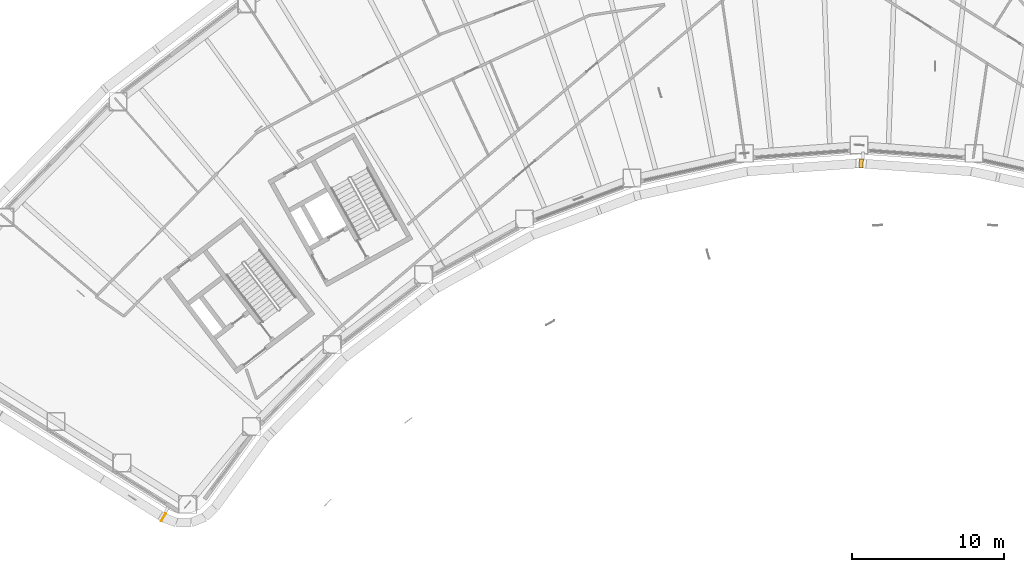
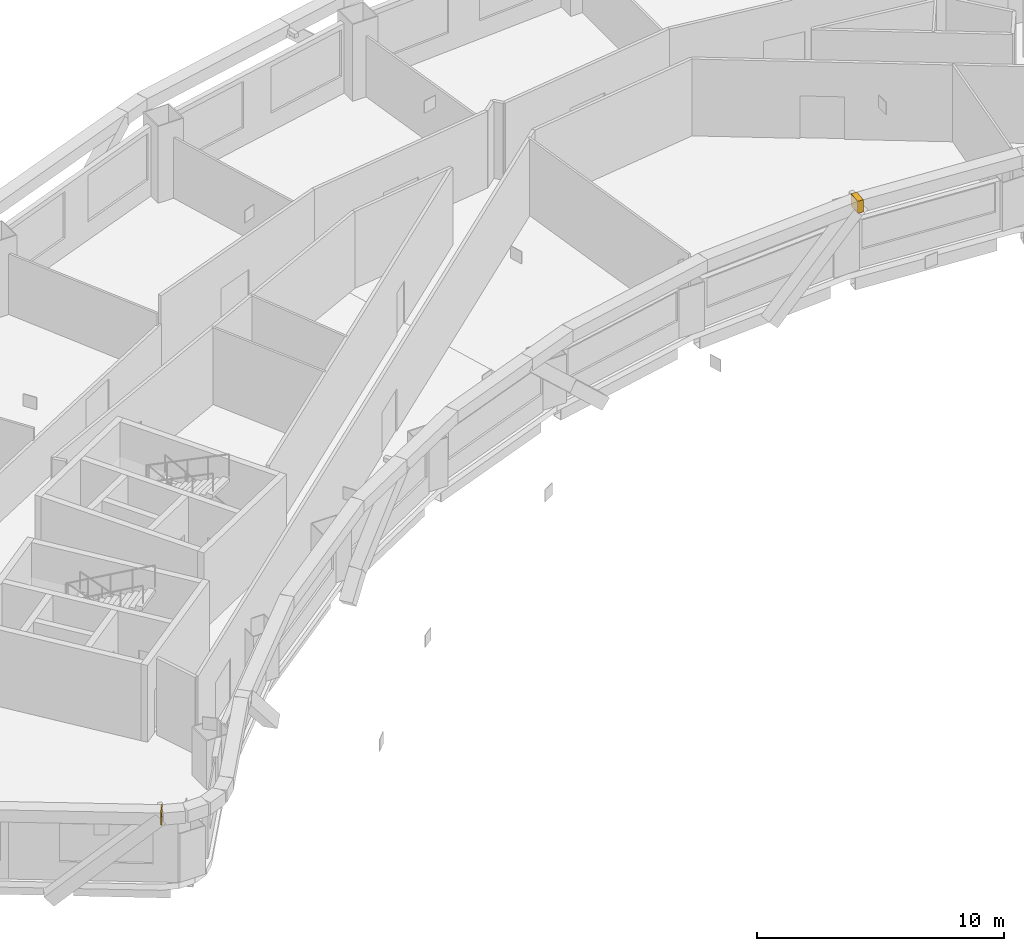
# One storey, part 19 of 19: 2 coverings.
"""IFC4 building model written with IfcOpenShell, lengths in metres."""

from ifc_helpers import new_model, si_unit, direction, frame, origin, origin_2d, place, context, subcontext, project, spatial, rectangle, extrude, material, material_profile, profile_set, type_object, element, save


model = new_model("IFC4")

# Units and contexts
model_context = context("Model", 3, precision=1e-05, world=origin(), true_north=direction((0.0, 1.0)))
body_context = subcontext(model_context, "Body", "Model", "MODEL_VIEW")
ifc_project = project(units=[si_unit("LENGTHUNIT", "METRE"), si_unit("AREAUNIT", "SQUARE_METRE"), si_unit("VOLUMEUNIT", "CUBIC_METRE"), si_unit("PLANEANGLEUNIT", "RADIAN"), si_unit("MASSUNIT", "GRAM", prefix="KILO")], contexts=[model_context])

# Site, building, storey
site_placement = place(None, origin())
site = spatial("IfcSite", under=ifc_project, at=site_placement, CompositionType="ELEMENT")
building_placement = place(site_placement, origin())
building = spatial("IfcBuilding", under=site, at=building_placement, Name="Tuul Gate Civic Tower", CompositionType="ELEMENT")
storey_placement = place(building_placement, frame((0.0, 0.0, 90.60009765625)))
storey = spatial("IfcBuildingStorey", under=building, at=storey_placement, Name="Level 20", CompositionType="ELEMENT", Elevation=90.60009765625)

# Coverings
ifc_material = material(Name="Terracotta baguette", Category="masonry")
ifc_material_profile = material_profile(ifc_material, rectangle(XDim=0.60009765625, YDim=0.60009765625, at=origin_2d()), Name="Terracotta baguette screen frame")
ifc_profile_set = profile_set([ifc_material_profile], Name="Terracotta baguette")
covering_type = type_object("IfcCoveringType", Name="Terracotta baguette screen frame", PredefinedType="CLADDING", material=ifc_profile_set)
covering_1_placement = place(storey_placement, frame((-41.12109375, -27.198974609375, 3.849853515625), z_axis=(0.848510478701, -0.529178578114, 0.0), x_axis=(0.529178578114, 0.848510478701, 0.0)))
element("IfcCovering", 1, at=covering_1_placement, inside=storey, type_object=covering_type, Name="Baguette 171", PredefinedType="CLADDING", context=body_context, shape_type="SweptSolid", body=[
    extrude(rectangle(XDim=0.60009765625, YDim=0.60009765625, at=origin_2d()), origin(), (0.0, 0.0, 1.0), 0.053466796875),
])
covering_2_placement = place(storey_placement, frame((4.80810546875, -3.85205078125, 3.849853515625), z_axis=(0.997430282696, -0.071643779634, 0.0), x_axis=(0.071643779634, 0.997430282696, 0.0)))
element("IfcCovering", 2, at=covering_2_placement, inside=storey, type_object=covering_type, Name="Baguette 429", PredefinedType="CLADDING", context=body_context, shape_type="SweptSolid", body=[
    extrude(rectangle(XDim=0.60009765625, YDim=0.60009765625, at=origin_2d()), origin(), (0.0, 0.0, 1.0), 0.262451171875),
])

save(model, "model.ifc")
